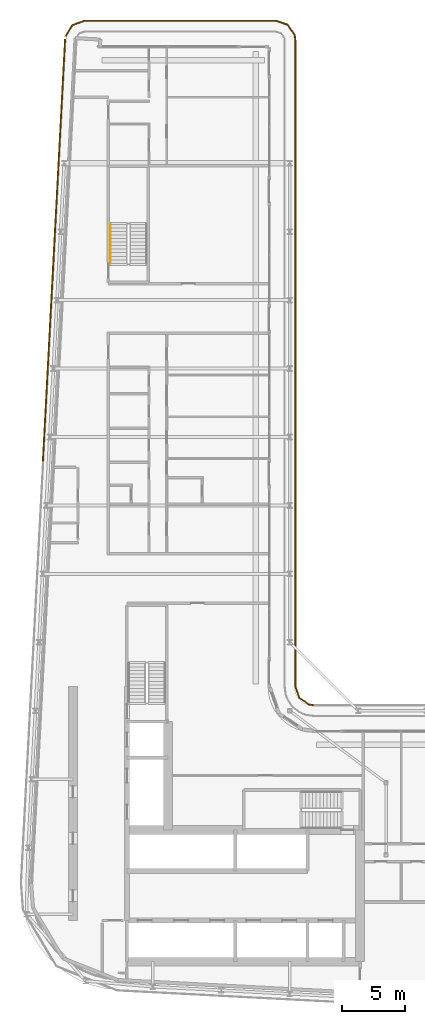
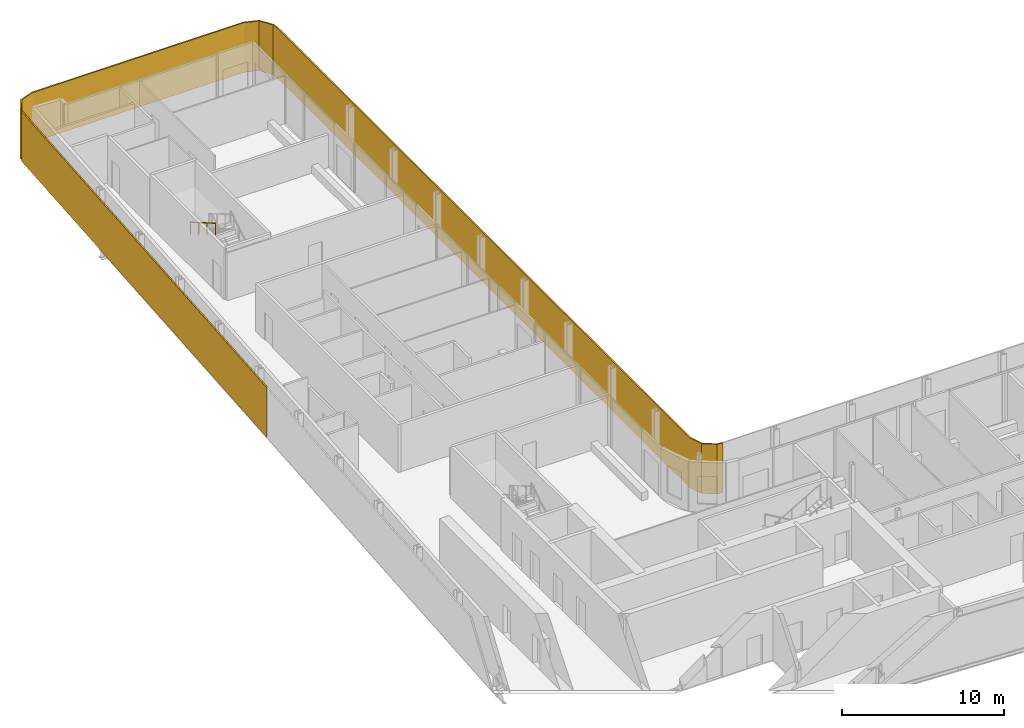
# One storey, part 21 of 23: 2 shading devices, 1 railing.
"""IFC4 building model written with IfcOpenShell, lengths in metres."""

from ifc_helpers import new_model, si_unit, direction, frame, origin, origin_2d, place, context, subcontext, project, spatial, polyline, rectangle, circle, outline, extrude, material, layer, layer_set, type_object, element, save


model = new_model("IFC4")

# Units and contexts
model_context = context("Model", 3, precision=1e-05, world=origin(), true_north=direction((0.0, 1.0)))
body_context = subcontext(model_context, "Body", "Model", "MODEL_VIEW")
ifc_project = project(units=[si_unit("LENGTHUNIT", "METRE"), si_unit("AREAUNIT", "SQUARE_METRE"), si_unit("VOLUMEUNIT", "CUBIC_METRE"), si_unit("PLANEANGLEUNIT", "RADIAN"), si_unit("MASSUNIT", "GRAM", prefix="KILO")], contexts=[model_context])

# Site, building, storey
site_placement = place(None, origin())
site = spatial("IfcSite", under=ifc_project, at=site_placement, CompositionType="ELEMENT")
building_placement = place(site_placement, origin())
building = spatial("IfcBuilding", under=site, at=building_placement, Name="Kheshtan School and Residences Tower", CompositionType="ELEMENT")
storey_placement = place(building_placement, frame((0.0, 0.0, 239.60009765625)))
storey = spatial("IfcBuildingStorey", under=building, at=storey_placement, Name="L56", CompositionType="ELEMENT", Elevation=239.60009765625)

# Shading devices
ifc_material_1 = material(Name="Terracotta baguette, extruded ceramic", Category="masonry")
ifc_layer_1 = layer(ifc_material_1, 0.10009765625)
ifc_layer_set_1 = layer_set([ifc_layer_1], Name="Ledge screen, terracotta baguettes")
shading_device_type_1 = type_object("IfcShadingDeviceType", Name="Ledge screen, terracotta baguettes", PredefinedType="USERDEFINED", material=ifc_layer_set_1)
shading_device_1_placement = place(storey_placement, frame((28.9990234375, 81.93408203125, 0.0), z_axis=(0.0, 0.0, 1.0), x_axis=(0.052562536748, 0.998617634398, 0.0)))
element("IfcShadingDevice", 1, at=shading_device_1_placement, inside=storey, type_object=shading_device_type_1, Name="Screen L56 5", ObjectType="BAGUETTE", PredefinedType="USERDEFINED", context=body_context, shape_type="SweptSolid", body=[
    extrude(rectangle(XDim=33.341064453125, YDim=0.10009765625, at=origin_2d()), origin(), (0.0, 0.0, 1.0), 3.75),
])
ifc_material_2 = material(Name="Terracotta lattice, extruded ceramic", Category="masonry")
ifc_layer_2 = layer(ifc_material_2, 0.10009765625)
ifc_layer_set_2 = layer_set([ifc_layer_2], Name="Loggia screen, terracotta lattice")
shading_device_type_2 = type_object("IfcShadingDeviceType", Name="Loggia screen, terracotta lattice", PredefinedType="USERDEFINED", material=ifc_layer_set_2)
shading_device_2_placement = place(storey_placement, origin())
element("IfcShadingDevice", 2, at=shading_device_2_placement, inside=storey, type_object=shading_device_type_2, Name="Screen L56 1", ObjectType="SCREEN", PredefinedType="USERDEFINED", context=body_context, shape_type="SweptSolid", body=[
    extrude(outline(polyline([(29.949951171875, 98.783935546875), (30.468017578125, 99.656982421875), (31.423095703125, 100.0), (46.5, 100.0), (47.4130859375, 99.68994140625), (47.948974609375, 98.887939453125), (48.0, 98.5), (48.0, 47.5), (48.31005859375, 46.5869140625), (49.112060546875, 46.051025390625), (49.5, 46.0), (49.512939453125, 46.09912109375), (49.14794921875, 46.14697265625), (48.39404296875, 46.65087890625), (48.10009765625, 47.51708984375), (48.10009765625, 98.507080078125), (48.044921875, 98.924072265625), (47.47705078125, 99.77392578125), (46.51708984375, 100.10009765625), (31.406005859375, 100.10009765625), (30.39990234375, 99.739013671875), (29.864013671875, 98.8349609375), (29.949951171875, 98.783935546875)])), origin(), (0.0, 0.0, 1.0), 3.75),
])

# Railing
ifc_material_3 = material(Name="Stainless steel handrail", Category="steel")
railing_type = type_object("IfcRailingType", Name="Stair handrail 900", PredefinedType="HANDRAIL", material=ifc_material_3)
railing_placement = place(storey_placement, frame((33.449951171875, 83.97998046875, 2.1123046875)))
element("IfcRailing", 3, at=railing_placement, inside=storey, type_object=railing_type, Name="L56 ST3 stair handrail 2", PredefinedType="HANDRAIL", context=body_context, shape_type="SweptSolid", body=[
    extrude(circle(Radius=0.02392578125, at=origin_2d()), frame((0.0, 0.0, 0.8759765625), z_axis=(0.0, -0.864890721111, 0.501960198159), x_axis=(1.0, 0.0, 0.0)), (0.0, 0.0, 1.0), 3.561279296875),
    extrude(circle(Radius=0.02099609375, at=origin_2d()), origin(), (0.0, 0.0, 1.0), 0.851806640625),
    extrude(circle(Radius=0.02099609375, at=origin_2d()), frame((0.0, -1.026611328125, 0.595947265625)), (0.0, 0.0, 1.0), 0.851806640625),
    extrude(circle(Radius=0.02099609375, at=origin_2d()), frame((0.0, -2.053466796875, 1.191650390625)), (0.0, 0.0, 1.0), 0.851806640625),
    extrude(circle(Radius=0.02099609375, at=origin_2d()), frame((0.0, -3.080078125, 1.78759765625)), (0.0, 0.0, 1.0), 0.851806640625),
])

save(model, "model.ifc")
